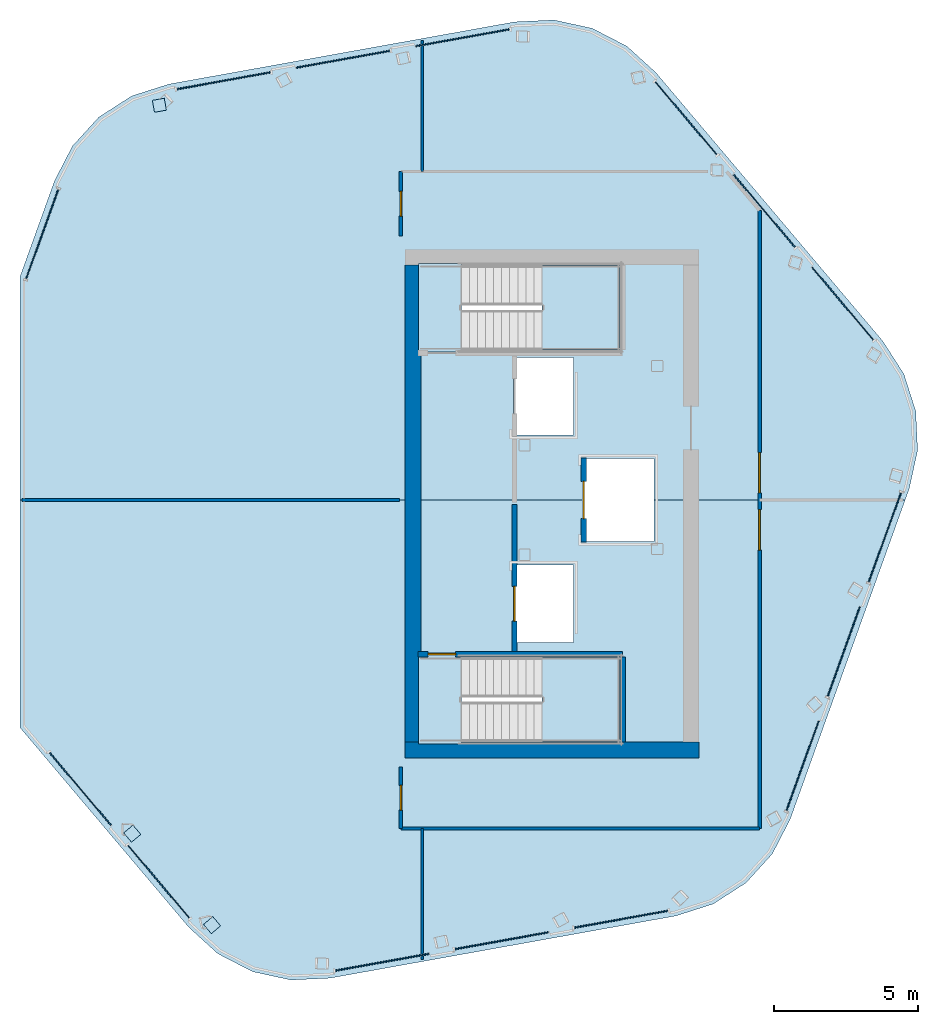
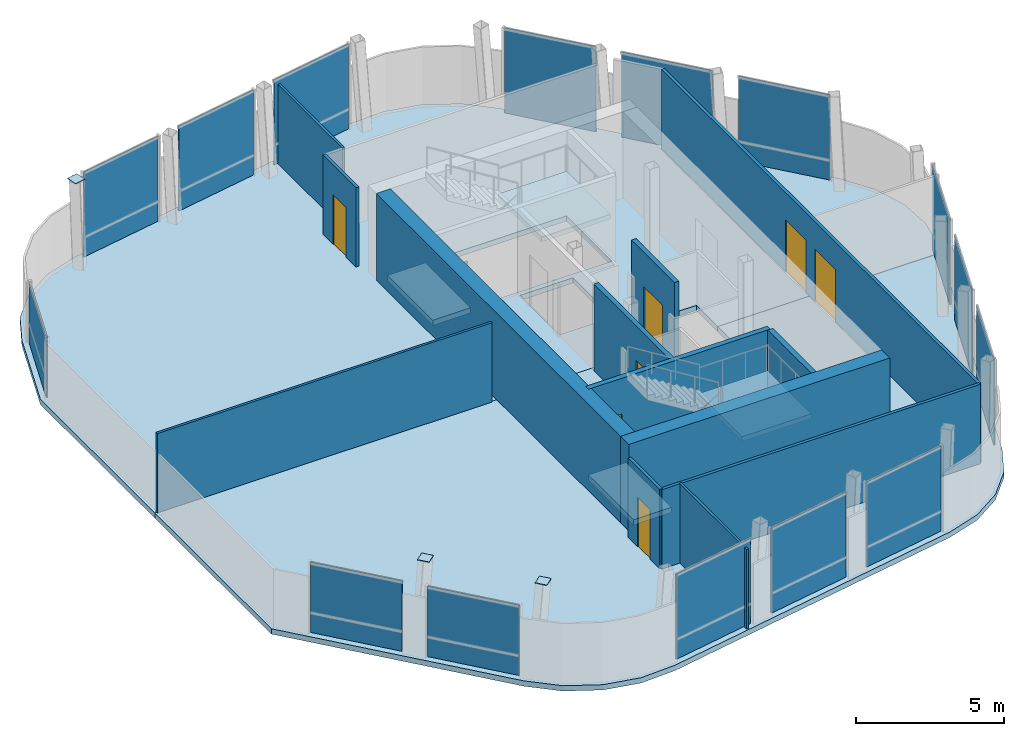
# One storey, part 4 of 8: 18 plates, 13 walls, 7 doors, 6 slabs, 7 openings, 8 elements without a shape of their own.
"""IFC4 building model written with IfcOpenShell, lengths in metres."""

from ifc_helpers import new_model, si_unit, direction, frame, frame_2d, origin, origin_2d, place, context, subcontext, project, spatial, polyline, rectangle, outline, extrude, material, layer, layer_set, type_object, element, fill, aggregate, save


model = new_model("IFC4")

# Units and contexts
model_context = context("Model", 3, precision=1e-05, world=origin(), true_north=direction((0.0, 1.0)))
body_context = subcontext(model_context, "Body", "Model", "MODEL_VIEW")
ifc_project = project(units=[si_unit("LENGTHUNIT", "METRE"), si_unit("AREAUNIT", "SQUARE_METRE"), si_unit("VOLUMEUNIT", "CUBIC_METRE"), si_unit("PLANEANGLEUNIT", "RADIAN"), si_unit("MASSUNIT", "GRAM", prefix="KILO")], contexts=[model_context])

# Site, building, storey
site_placement = place(None, origin())
site = spatial("IfcSite", under=ifc_project, at=site_placement, CompositionType="ELEMENT")
building_placement = place(site_placement, origin())
building = spatial("IfcBuilding", under=site, at=building_placement, Name="Valkerne Bourse Tower", CompositionType="ELEMENT")
storey_placement = place(building_placement, frame((0.0, 0.0, 326.800048828125)))
storey = spatial("IfcBuildingStorey", under=building, at=storey_placement, Name="L83", CompositionType="ELEMENT", Elevation=326.800048828125)

# Curtain wall, plates
ifc_material_1 = material(Name="Aluminium AA 6063-T6", Category="aluminium")
ifc_layer_1 = layer(ifc_material_1, 0.25)
ifc_layer_set_1 = layer_set([ifc_layer_1], Name="Aluminium AA 6063-T6")
curtain_wall_type = type_object("IfcCurtainWallType", Name="CW-06", PredefinedType="NOTDEFINED", material=ifc_layer_set_1)
curtain_wall_1_placement = place(storey_placement, origin())
curtain_wall_1 = element("IfcCurtainWall", 1, at=curtain_wall_1_placement, inside=storey, type_object=curtain_wall_type, Name="L83 Hexagonal Stick Curtain Wall Face 1", PredefinedType="NOTDEFINED")
ifc_material_2 = material(Name="Bronze Anodised Aluminium AA 6063-T6", Category="aluminium")
ifc_layer_2 = layer(ifc_material_2, 0.0400390625)
ifc_layer_set_2 = layer_set([ifc_layer_2], Name="Bronze Anodised Aluminium AA 6063-T6")
plate_type_1 = type_object("IfcPlateType", Name="CW-PNL-LOUVRE-40", PredefinedType="CURTAIN_PANEL", material=ifc_layer_set_2)
plate_1_placement = place(storey_placement, frame((48.193603515625, 43.0390625, 0.030029296875), z_axis=(0.0, 0.0, 1.0), x_axis=(-0.98419532574, -0.177086308879, 0.0)))
plate_1 = element("IfcPlate", 2, at=plate_1_placement, type_object=plate_type_1, Name="CW-L83-F1 Curtain Panel 00", PredefinedType="CURTAIN_PANEL", context=body_context, shape_type="SweptSolid", body=[
    extrude(rectangle(XDim=3.2919921875, YDim=0.0400390625, at=origin_2d()), origin(), (0.0, 0.0, 1.0), 3.52001953125),
])
plate_2_placement = place(storey_placement, frame((44.04833984375, 42.293212890625, 0.030029296875), z_axis=(0.0, 0.0, 1.0), x_axis=(-0.984194581197, -0.177090446787, 0.0)))
plate_2 = element("IfcPlate", 3, at=plate_2_placement, type_object=plate_type_1, Name="CW-L83-F1 Curtain Panel 01", PredefinedType="CURTAIN_PANEL", context=body_context, shape_type="SweptSolid", body=[
    extrude(rectangle(XDim=3.2919921875, YDim=0.0400390625, at=origin_2d()), origin(), (0.0, 0.0, 1.0), 3.52001953125),
])
plate_3_placement = place(storey_placement, frame((39.90283203125, 41.547119140625, 0.030029296875), z_axis=(0.0, 0.0, 1.0), x_axis=(-0.984194581197, -0.177090446787, 0.0)))
plate_3 = element("IfcPlate", 4, at=plate_3_placement, type_object=plate_type_1, Name="CW-L83-F1 Curtain Panel 02", PredefinedType="CURTAIN_PANEL", context=body_context, shape_type="SweptSolid", body=[
    extrude(rectangle(XDim=3.2919921875, YDim=0.0400390625, at=origin_2d()), origin(), (0.0, 0.0, 1.0), 3.52001953125),
])
aggregate(curtain_wall_1, [plate_1, plate_2, plate_3])

# Curtain wall, plate
curtain_wall_2_placement = place(storey_placement, origin())
curtain_wall_2 = element("IfcCurtainWall", 5, at=curtain_wall_2_placement, inside=storey, type_object=curtain_wall_type, Name="L83 Hexagonal Stick Curtain Wall Face 2", PredefinedType="NOTDEFINED")
plate_4_placement = place(storey_placement, frame((33.606689453125, 36.2265625, 0.02978515625), z_axis=(0.0, 0.0, 1.0), x_axis=(-0.338723671841, -0.940885898573, 0.0)))
plate_4 = element("IfcPlate", 6, at=plate_4_placement, type_object=plate_type_1, Name="CW-L83-F2 Curtain Panel 00", PredefinedType="CURTAIN_PANEL", context=body_context, shape_type="SweptSolid", body=[
    extrude(rectangle(XDim=3.2919921875, YDim=0.0400390625, at=origin_2d()), origin(), (0.0, 0.0, 1.0), 2.525146484375),
])
aggregate(curtain_wall_2, [plate_4])

# Curtain wall, plates
curtain_wall_3_placement = place(storey_placement, origin())
curtain_wall_3 = element("IfcCurtainWall", 7, at=curtain_wall_3_placement, inside=storey, type_object=curtain_wall_type, Name="L83 Hexagonal Stick Curtain Wall Face 3", PredefinedType="NOTDEFINED")
plate_5_placement = place(storey_placement, frame((34.931640625, 16.970458984375, 0.030029296875), z_axis=(0.0, 0.0, 1.0), x_axis=(0.645463188737, -0.763791379884, 0.0)))
plate_5 = element("IfcPlate", 8, at=plate_5_placement, type_object=plate_type_1, Name="CW-L83-F3 Curtain Panel 00", PredefinedType="CURTAIN_PANEL", context=body_context, shape_type="SweptSolid", body=[
    extrude(rectangle(XDim=3.2919921875, YDim=0.0400390625, at=origin_2d()), origin(), (0.0, 0.0, 1.0), 2.91162109375),
])
plate_6_placement = place(storey_placement, frame((37.650146484375, 13.75341796875, 0.030029296875), z_axis=(0.0, 0.0, 1.0), x_axis=(0.645463188737, -0.763791379884, 0.0)))
plate_6 = element("IfcPlate", 9, at=plate_6_placement, type_object=plate_type_1, Name="CW-L83-F3 Curtain Panel 01", PredefinedType="CURTAIN_PANEL", context=body_context, shape_type="SweptSolid", body=[
    extrude(rectangle(XDim=3.2919921875, YDim=0.0400390625, at=origin_2d()), origin(), (0.0, 0.0, 1.0), 2.91162109375),
])
aggregate(curtain_wall_3, [plate_5, plate_6])

curtain_wall_4_placement = place(storey_placement, origin())
curtain_wall_4 = element("IfcCurtainWall", 10, at=curtain_wall_4_placement, inside=storey, type_object=curtain_wall_type, Name="L83 Hexagonal Stick Curtain Wall Face 4", PredefinedType="NOTDEFINED")
plate_7_placement = place(storey_placement, frame((45.40625, 10.9609375, 0.030029296875), z_axis=(0.0, 0.0, 1.0), x_axis=(0.98419532574, 0.177086308879, 0.0)))
plate_7 = element("IfcPlate", 11, at=plate_7_placement, type_object=plate_type_1, Name="CW-L83-F4 Curtain Panel 00", PredefinedType="CURTAIN_PANEL", context=body_context, shape_type="SweptSolid", body=[
    extrude(rectangle(XDim=3.2919921875, YDim=0.0400390625, at=origin_2d()), origin(), (0.0, 0.0, 1.0), 3.52001953125),
])
plate_8_placement = place(storey_placement, frame((49.5517578125, 11.706787109375, 0.030029296875), z_axis=(0.0, 0.0, 1.0), x_axis=(0.984194581197, 0.177090446787, 0.0)))
plate_8 = element("IfcPlate", 12, at=plate_8_placement, type_object=plate_type_1, Name="CW-L83-F4 Curtain Panel 01", PredefinedType="CURTAIN_PANEL", context=body_context, shape_type="SweptSolid", body=[
    extrude(rectangle(XDim=3.2919921875, YDim=0.0400390625, at=origin_2d()), origin(), (0.0, 0.0, 1.0), 3.52001953125),
])
plate_9_placement = place(storey_placement, frame((53.697021484375, 12.45263671875, 0.030029296875), z_axis=(0.0, 0.0, 1.0), x_axis=(0.984194581197, 0.177090446787, 0.0)))
plate_9 = element("IfcPlate", 13, at=plate_9_placement, type_object=plate_type_1, Name="CW-L83-F4 Curtain Panel 02", PredefinedType="CURTAIN_PANEL", context=body_context, shape_type="SweptSolid", body=[
    extrude(rectangle(XDim=3.2919921875, YDim=0.0400390625, at=origin_2d()), origin(), (0.0, 0.0, 1.0), 3.52001953125),
])
aggregate(curtain_wall_4, [plate_7, plate_8, plate_9])

curtain_wall_5_placement = place(storey_placement, origin())
curtain_wall_5 = element("IfcCurtainWall", 14, at=curtain_wall_5_placement, inside=storey, type_object=curtain_wall_type, Name="L83 Hexagonal Stick Curtain Wall Face 5", PredefinedType="NOTDEFINED")
plate_10_placement = place(storey_placement, frame((59.993408203125, 17.7734375, 0.030029296875), z_axis=(0.0, 0.0, 1.0), x_axis=(0.338723671841, 0.940885898573, 0.0)))
plate_10 = element("IfcPlate", 15, at=plate_10_placement, type_object=plate_type_1, Name="CW-L83-F5 Curtain Panel 00", PredefinedType="CURTAIN_PANEL", context=body_context, shape_type="SweptSolid", body=[
    extrude(rectangle(XDim=3.2919921875, YDim=0.0400390625, at=origin_2d()), origin(), (0.0, 0.0, 1.0), 3.52001953125),
])
plate_11_placement = place(storey_placement, frame((61.420166015625, 21.736328125, 0.030029296875), z_axis=(0.0, 0.0, 1.0), x_axis=(0.338744689362, 0.940878331895, 0.0)))
plate_11 = element("IfcPlate", 16, at=plate_11_placement, type_object=plate_type_1, Name="CW-L83-F5 Curtain Panel 01", PredefinedType="CURTAIN_PANEL", context=body_context, shape_type="SweptSolid", body=[
    extrude(rectangle(XDim=3.2919921875, YDim=0.0400390625, at=origin_2d()), origin(), (0.0, 0.0, 1.0), 3.52001953125),
])
plate_12_placement = place(storey_placement, frame((62.846923828125, 25.699462890625, 0.030029296875), z_axis=(0.0, 0.0, 1.0), x_axis=(0.338744689362, 0.940878331895, 0.0)))
plate_12 = element("IfcPlate", 17, at=plate_12_placement, type_object=plate_type_1, Name="CW-L83-F5 Curtain Panel 02", PredefinedType="CURTAIN_PANEL", context=body_context, shape_type="SweptSolid", body=[
    extrude(rectangle(XDim=3.2919921875, YDim=0.0400390625, at=origin_2d()), origin(), (0.0, 0.0, 1.0), 3.52001953125),
])
aggregate(curtain_wall_5, [plate_10, plate_11, plate_12])

curtain_wall_6_placement = place(storey_placement, origin())
curtain_wall_6 = element("IfcCurtainWall", 18, at=curtain_wall_6_placement, inside=storey, type_object=curtain_wall_type, Name="L83 Hexagonal Stick Curtain Wall Face 6", PredefinedType="NOTDEFINED")
plate_13_placement = place(storey_placement, frame((61.38720703125, 33.8125, 0.030029296875), z_axis=(0.0, 0.0, 1.0), x_axis=(-0.6454493381, 0.763803084536, 0.0)))
plate_13 = element("IfcPlate", 19, at=plate_13_placement, type_object=plate_type_1, Name="CW-L83-F6 Curtain Panel 00", PredefinedType="CURTAIN_PANEL", context=body_context, shape_type="SweptSolid", body=[
    extrude(rectangle(XDim=3.2919921875, YDim=0.0400390625, at=origin_2d()), origin(), (0.0, 0.0, 1.0), 3.52001953125),
])
plate_14_placement = place(storey_placement, frame((58.66845703125, 37.029541015625, 0.030029296875), z_axis=(0.0, 0.0, 1.0), x_axis=(-0.645463188737, 0.763791379884, 0.0)))
plate_14 = element("IfcPlate", 20, at=plate_14_placement, type_object=plate_type_1, Name="CW-L83-F6 Curtain Panel 01", PredefinedType="CURTAIN_PANEL", context=body_context, shape_type="SweptSolid", body=[
    extrude(rectangle(XDim=3.2919921875, YDim=0.0400390625, at=origin_2d()), origin(), (0.0, 0.0, 1.0), 3.52001953125),
])
plate_15_placement = place(storey_placement, frame((55.94970703125, 40.24658203125, 0.030029296875), z_axis=(0.0, 0.0, 1.0), x_axis=(-0.645463188737, 0.763791379884, 0.0)))
plate_15 = element("IfcPlate", 21, at=plate_15_placement, type_object=plate_type_1, Name="CW-L83-F6 Curtain Panel 02", PredefinedType="CURTAIN_PANEL", context=body_context, shape_type="SweptSolid", body=[
    extrude(rectangle(XDim=3.2919921875, YDim=0.0400390625, at=origin_2d()), origin(), (0.0, 0.0, 1.0), 3.52001953125),
])
aggregate(curtain_wall_6, [plate_13, plate_14, plate_15])

# Plates
ifc_material_3 = material(Name="Steel ASTM A572 Grade 50", Category="steel")
ifc_layer_3 = layer(ifc_material_3, 0.02490234375)
ifc_layer_set_3 = layer_set([ifc_layer_3], Name="Steel ASTM A572 Grade 50")
plate_type_2 = type_object("IfcPlateType", Name="PLT-CAP-400", PredefinedType="SHEET", material=ifc_layer_set_3)
for number, where, z_axis, x_axis, name in (
    (22, (37.67333984375, 40.697509765625, 3.791015625), (0.0, 0.0, 1.0), (-0.984195607969, -0.17708474032, 0.0), "L83 HSS400 Column Head Cap Plate PLT-CAP400-L83-013"),
    (23, (36.731689453125, 15.421142578125, 3.791015625), (0.0, 0.0, 1.0), (0.645457687724, -0.763796028635, 0.0), "L83 HSS400 Column Head Cap Plate PLT-CAP400-L83-014"),
    (24, (39.5009765625, 12.247314453125, 3.791015625), (0.0, 0.0, 1.0), (0.645457687724, -0.763796028635, 0.0), "L83 HSS400 Column Head Cap Plate PLT-CAP400-L83-015"),
):
    element("IfcPlate", number, at=place(storey_placement, frame(where, z_axis=z_axis, x_axis=x_axis)), inside=storey, type_object=plate_type_2, Name=name, PredefinedType="SHEET", context=body_context, shape_type="SweptSolid", body=[
        extrude(rectangle(XDim=0.419921875, YDim=0.419921875, at=origin_2d()), origin(), (0.0, 0.0, 1.0), 0.02490234375),
    ])

# Slabs
ifc_material_4 = material(Name="Concrete C40/50", Category="concrete")
ifc_layer_4 = layer(ifc_material_4, 0.219970703125)
ifc_layer_set_4 = layer_set([ifc_layer_4], Name="Concrete C40/50")
slab_type_1 = type_object("IfcSlabType", Name="SLB-CRN-220", PredefinedType="FLOOR", material=ifc_layer_set_4)
slab_1_placement = place(storey_placement, frame((0.0, 0.0, -0.219970703125)))
element("IfcSlab", 25, at=slab_1_placement, inside=storey, type_object=slab_type_1, Name="L83 Hexagonal Composite Floor Slab S", PredefinedType="FLOOR", context=body_context, shape_type="SweptSolid", body=[
    extrude(outline(polyline([(59.564208984375, 15.923583984375), (58.941650390625, 14.71728515625), (58.028076171875, 13.71337890625), (56.8857421875, 12.97998046875), (55.592529296875, 12.5673828125), (43.589599609375, 10.40771484375), (42.23388671875, 10.34375), (40.907470703125, 10.6328125), (39.701171875, 11.255615234375), (38.697265625, 12.169189453125), (32.8369140625, 19.103515625), (32.8369140625, 27.0), (52.360107421875, 27.0), (52.360107421875, 25.56005859375), (54.840087890625, 25.56005859375), (54.840087890625, 27.0), (63.552001953125, 27.0), (59.564208984375, 15.923583984375)]), holes=[polyline([(46.6650390625, 18.534912109375), (53.675048828125, 18.534912109375), (53.675048828125, 21.614990234375), (46.6650390625, 21.614990234375), (46.6650390625, 18.534912109375)]), polyline([(49.9599609375, 22.06005859375), (52.0400390625, 22.06005859375), (52.0400390625, 24.739990234375), (49.9599609375, 24.739990234375), (49.9599609375, 22.06005859375)])]), origin(), (0.0, 0.0, 1.0), 0.219970703125),
])
slab_2_placement = place(storey_placement, frame((0.0, 0.0, -0.219970703125)))
element("IfcSlab", 26, at=slab_2_placement, inside=storey, type_object=slab_type_1, Name="L83 Hexagonal Composite Floor Slab N", PredefinedType="FLOOR", context=body_context, shape_type="SweptSolid", body=[
    extrude(outline(polyline([(35.572021484375, 40.28662109375), (36.714111328125, 41.02001953125), (38.00732421875, 41.4326171875), (50.01025390625, 43.59228515625), (51.3662109375, 43.65625), (52.6923828125, 43.3671875), (53.898681640625, 42.744384765625), (54.90283203125, 41.830810546875), (62.774658203125, 32.51611328125), (63.5078125, 31.373779296875), (63.920654296875, 30.08056640625), (63.984619140625, 28.724609375), (63.6953125, 27.398193359375), (63.552001953125, 27.0), (54.840087890625, 27.0), (54.840087890625, 28.43994140625), (52.360107421875, 28.43994140625), (52.360107421875, 27.0), (32.8369140625, 27.0), (32.8369140625, 34.746826171875), (34.03564453125, 38.076416015625), (34.658203125, 39.28271484375), (35.572021484375, 40.28662109375)]), holes=[polyline([(49.9599609375, 31.93994140625), (49.9599609375, 29.260009765625), (52.0400390625, 29.260009765625), (52.0400390625, 31.93994140625), (49.9599609375, 31.93994140625)]), polyline([(46.6650390625, 35.215087890625), (46.6650390625, 32.135009765625), (53.675048828125, 32.135009765625), (53.675048828125, 35.215087890625), (46.6650390625, 35.215087890625)])]), origin(), (0.0, 0.0, 1.0), 0.219970703125),
])
ifc_layer_5 = layer(ifc_material_4, 0.25)
ifc_layer_set_5 = layer_set([ifc_layer_5], Name="Concrete C40/50")
slab_type_2 = type_object("IfcSlabType", Name="SLB-RMP-LND-250", PredefinedType="LANDING", material=ifc_layer_set_5)
slab_3_placement = place(storey_placement, frame((0.0, 0.0, -0.219970703125)))
element("IfcSlab", 27, at=slab_3_placement, inside=storey, type_object=slab_type_2, Name="L83 ST-1 Floor Landing Slab", PredefinedType="LANDING", context=body_context, shape_type="SweptSolid", body=[
    extrude(outline(polyline([(46.669921875, 18.5400390625), (48.14990234375, 18.5400390625), (48.14990234375, 21.610107421875), (46.669921875, 21.610107421875), (46.669921875, 18.5400390625)])), origin(), (0.0, 0.0, 1.0), 0.219970703125),
])
slab_4_placement = place(storey_placement, frame((0.0, 0.0, -0.219970703125)))
element("IfcSlab", 28, at=slab_4_placement, inside=storey, type_object=slab_type_2, Name="L83 ST-2 Floor Landing Slab", PredefinedType="LANDING", context=body_context, shape_type="SweptSolid", body=[
    extrude(outline(polyline([(46.669921875, 32.139892578125), (48.14990234375, 32.139892578125), (48.14990234375, 35.2099609375), (46.669921875, 35.2099609375), (46.669921875, 32.139892578125)])), origin(), (0.0, 0.0, 1.0), 0.219970703125),
])

# Stair, slab
stair_type = type_object("IfcStairType", Name="ST-CORE-1400", PredefinedType="HALF_TURN_STAIR", material=ifc_material_4)
stair_1_placement = place(storey_placement, origin())
stair_1 = element("IfcStair", 29, at=stair_1_placement, inside=storey, type_object=stair_type, Name="L83 ST-1", PredefinedType="HALF_TURN_STAIR")
ifc_layer_6 = layer(ifc_material_4, 0.179931640625)
ifc_layer_set_6 = layer_set([ifc_layer_6], Name="Concrete C40/50")
slab_type_3 = type_object("IfcSlabType", Name="SLB-ST-LND-180", PredefinedType="LANDING", material=ifc_layer_set_6)
slab_5_placement = place(storey_placement, frame((0.0, 0.0, 1.699951171875)))
slab_5 = element("IfcSlab", 30, at=slab_5_placement, type_object=slab_type_3, Name="ST-1 landing 1", PredefinedType="LANDING", context=body_context, shape_type="SweptSolid", body=[
    extrude(outline(polyline([(50.949951171875, 18.60009765625), (53.64990234375, 18.60009765625), (53.64990234375, 21.550048828125), (50.949951171875, 21.550048828125), (50.949951171875, 18.60009765625)])), origin(), (0.0, 0.0, 1.0), 0.199951171875),
])
aggregate(stair_1, [slab_5])

stair_2_placement = place(storey_placement, origin())
stair_2 = element("IfcStair", 31, at=stair_2_placement, inside=storey, type_object=stair_type, Name="L83 ST-2", PredefinedType="HALF_TURN_STAIR")
slab_6_placement = place(storey_placement, frame((0.0, 0.0, 1.699951171875)))
slab_6 = element("IfcSlab", 32, at=slab_6_placement, type_object=slab_type_3, Name="ST-2 landing 1", PredefinedType="LANDING", context=body_context, shape_type="SweptSolid", body=[
    extrude(outline(polyline([(50.949951171875, 32.199951171875), (53.64990234375, 32.199951171875), (53.64990234375, 35.14990234375), (50.949951171875, 35.14990234375), (50.949951171875, 32.199951171875)])), origin(), (0.0, 0.0, 1.0), 0.199951171875),
])
aggregate(stair_2, [slab_6])

# Walls
ifc_material_5 = material(Name="Concrete C55/67", Category="concrete")
ifc_layer_7 = layer(ifc_material_5, 0.550048828125)
ifc_layer_set_7 = layer_set([ifc_layer_7], Name="Concrete C55/67")
wall_type_1 = type_object("IfcWallType", Name="W-CORE-550", PredefinedType="SHEAR", material=ifc_layer_set_7)
wall_1_placement = place(storey_placement, frame((46.199951171875, 18.324951171875, 0.0), z_axis=(0.0, 0.0, 1.0), x_axis=(1.0, 0.0, 0.0)))
element("IfcWall", 33, at=wall_1_placement, inside=storey, type_object=wall_type_1, Name="L83 Core Shear Wall SOUTH", PredefinedType="SHEAR", context=body_context, shape_type="SweptSolid", body=[
    extrude(rectangle(XDim=10.199951171875, YDim=0.550048828125, at=frame_2d((5.10009765625, 0.0))), origin(), (0.0, 0.0, 1.0), 3.579833984375),
])
wall_2_placement = place(storey_placement, frame((46.47509765625, 18.60009765625, 0.0), z_axis=(0.0, 0.0, 1.0), x_axis=(0.0, 1.0, 0.0)))
element("IfcWall", 34, at=wall_2_placement, inside=storey, type_object=wall_type_1, Name="L83 Core Shear Wall WEST", PredefinedType="SHEAR", context=body_context, shape_type="SweptSolid", body=[
    extrude(rectangle(XDim=16.5498046875, YDim=0.550048828125, at=frame_2d((8.27490234375, 0.0))), origin(), (0.0, 0.0, 1.0), 3.579833984375),
])

# Wall, opening, door
ifc_material_6 = material(Name="Gypsum Board Steel-Stud Partition", Category="steel")
ifc_layer_8 = layer(ifc_material_6, 0.117919921875)
ifc_layer_set_8 = layer_set([ifc_layer_8], Name="Gypsum Board Steel-Stud Partition")
wall_type_2 = type_object("IfcWallType", Name="W-CORR-140", PredefinedType="PARTITIONING", material=ifc_layer_set_8)
wall_3_placement = place(storey_placement, frame((46.050048828125, 15.60009765625, 0.0), z_axis=(0.0, 0.0, 1.0), x_axis=(0.0, 1.0, 0.0)))
wall_3 = element("IfcWall", 35, at=wall_3_placement, inside=storey, type_object=wall_type_2, Name="L83 Corridor Enclosure Wall", PredefinedType="PARTITIONING", context=body_context, shape_type="SweptSolid", body=[
    extrude(rectangle(XDim=2.139892578125, YDim=0.117919921875, at=frame_2d((1.06982421875, 0.0))), origin(), (0.0, 0.0, 1.0), 3.280029296875),
])
opening_1_placement = place(wall_3_placement, frame((0.639892578125, 0.0, 0.0)))
opening_1 = element("IfcOpeningElement", 36, at=opening_1_placement, cuts=wall_3, Name="Opening D-WC-900", PredefinedType="OPENING", context=body_context, shape_type="SweptSolid", body=[
    extrude(rectangle(XDim=0.860107421875, YDim=2.050048828125, at=frame_2d((0.43017578125, 1.02490234375))), frame((0.0, 0.06884765625, 0.0), z_axis=(0.0, -1.0, 0.0), x_axis=(1.0, 0.0, 0.0)), (0.0, 0.0, 1.0), 0.137939453125),
])
ifc_material_7 = material(Name="Architectural White Oak Timber", Category="wood")
door_type_1 = type_object("IfcDoorType", Name="DR-WC-900", OperationType="NOTDEFINED", PredefinedType="DOOR", material=ifc_material_7)
door_1_placement = place(opening_1_placement, origin())
door_1 = element("IfcDoor", 37, at=door_1_placement, inside=storey, type_object=door_type_1, Name="L83 L83 Crown Chiller & Heat-Rejection Cooling Plant 1 Door", OperationType="SINGLE_SWING_LEFT", OverallHeight=2.050048828125, OverallWidth=0.860107421875, PredefinedType="DOOR", context=body_context, shape_type="SweptSolid", body=[
    extrude(rectangle(XDim=0.860107421875, YDim=2.050048828125, at=frame_2d((0.43017578125, 1.02490234375))), frame((0.0, 0.02490234375, 0.0), z_axis=(0.0, -1.0, 0.0), x_axis=(1.0, 0.0, 0.0)), (0.0, 0.0, 1.0), 0.050048828125),
])
fill(opening_1, door_1)

wall_4_placement = place(storey_placement, frame((46.050048828125, 36.159912109375, 0.0), z_axis=(0.0, 0.0, 1.0), x_axis=(0.0, 1.0, 0.0)))
wall_4 = element("IfcWall", 38, at=wall_4_placement, inside=storey, type_object=wall_type_2, Name="L83 Corridor Enclosure Wall", PredefinedType="PARTITIONING", context=body_context, shape_type="SweptSolid", body=[
    extrude(rectangle(XDim=2.239990234375, YDim=0.117919921875, at=frame_2d((1.1201171875, 0.0))), origin(), (0.0, 0.0, 1.0), 3.280029296875),
])
opening_2_placement = place(wall_4_placement, frame((0.68994140625, 0.0, 0.0)))
opening_2 = element("IfcOpeningElement", 39, at=opening_2_placement, cuts=wall_4, Name="Opening D-WC-900", PredefinedType="OPENING", context=body_context, shape_type="SweptSolid", body=[
    extrude(rectangle(XDim=0.860107421875, YDim=2.050048828125, at=frame_2d((0.43017578125, 1.02490234375))), frame((0.0, 0.06884765625, 0.0), z_axis=(0.0, -1.0, 0.0), x_axis=(1.0, 0.0, 0.0)), (0.0, 0.0, 1.0), 0.137939453125),
])
door_2_placement = place(opening_2_placement, origin())
door_2 = element("IfcDoor", 40, at=door_2_placement, inside=storey, type_object=door_type_1, Name="L83 L83 Crown Chiller & Heat-Rejection Cooling Plant 4 Door", OperationType="SINGLE_SWING_LEFT", OverallHeight=2.050048828125, OverallWidth=0.860107421875, PredefinedType="DOOR", context=body_context, shape_type="SweptSolid", body=[
    extrude(rectangle(XDim=0.860107421875, YDim=2.050048828125, at=frame_2d((0.43017578125, 1.02490234375))), frame((0.0, 0.02490234375, 0.0), z_axis=(0.0, -1.0, 0.0), x_axis=(1.0, 0.0, 0.0)), (0.0, 0.0, 1.0), 0.050048828125),
])
fill(opening_2, door_2)

# Wall, openings, doors
wall_5_placement = place(storey_placement, frame((58.5, 37.047607421875, 0.0), z_axis=(0.0, 0.0, 1.0), x_axis=(0.0, -1.0, 0.0)))
wall_5 = element("IfcWall", 41, at=wall_5_placement, inside=storey, type_object=wall_type_2, Name="L83 Corridor Enclosure Wall", PredefinedType="PARTITIONING", context=body_context, shape_type="SweptSolid", body=[
    extrude(rectangle(XDim=21.447509765625, YDim=0.117919921875, at=frame_2d((10.7236328125, 0.0))), origin(), (0.0, 0.0, 1.0), 3.280029296875),
])
opening_3_placement = place(wall_5_placement, frame((10.3837890625, 0.0, 0.0)))
opening_3 = element("IfcOpeningElement", 42, at=opening_3_placement, cuts=wall_5, Name="Opening D-PL-1400", PredefinedType="OPENING", context=body_context, shape_type="SweptSolid", body=[
    extrude(rectangle(XDim=1.39990234375, YDim=2.14990234375, at=frame_2d((0.699951171875, 1.074951171875))), frame((0.0, 0.06884765625, 0.0), z_axis=(0.0, -1.0, 0.0), x_axis=(1.0, 0.0, 0.0)), (0.0, 0.0, 1.0), 0.137939453125),
])
opening_4_placement = place(wall_5_placement, frame((8.40380859375, 0.0, 0.0)))
opening_4 = element("IfcOpeningElement", 43, at=opening_4_placement, cuts=wall_5, Name="Opening D-PL-1400", PredefinedType="OPENING", context=body_context, shape_type="SweptSolid", body=[
    extrude(rectangle(XDim=1.39990234375, YDim=2.14990234375, at=frame_2d((0.699951171875, 1.074951171875))), frame((0.0, 0.06884765625, 0.0), z_axis=(0.0, -1.0, 0.0), x_axis=(1.0, 0.0, 0.0)), (0.0, 0.0, 1.0), 0.137939453125),
])
ifc_material_8 = material(Name="Galvanised Painted Steel", Category="steel")
door_type_2 = type_object("IfcDoorType", Name="DR-PLT-1400", OperationType="DOUBLE_DOOR_SINGLE_SWING", PredefinedType="DOOR", material=ifc_material_8)
door_3_placement = place(opening_3_placement, origin())
door_3 = element("IfcDoor", 44, at=door_3_placement, inside=storey, type_object=door_type_2, Name="L83 L83 Crown Supply Air Handling AHU Plant 2 Door", OperationType="DOUBLE_DOOR_SINGLE_SWING", OverallHeight=2.14990234375, OverallWidth=1.39990234375, PredefinedType="DOOR", context=body_context, shape_type="SweptSolid", body=[
    extrude(rectangle(XDim=1.39990234375, YDim=2.14990234375, at=frame_2d((0.699951171875, 1.074951171875))), frame((0.0, 0.02490234375, 0.0), z_axis=(0.0, -1.0, 0.0), x_axis=(1.0, 0.0, 0.0)), (0.0, 0.0, 1.0), 0.050048828125),
])
fill(opening_3, door_3)
door_4_placement = place(opening_4_placement, origin())
door_4 = element("IfcDoor", 45, at=door_4_placement, inside=storey, type_object=door_type_2, Name="L83 L83 Crown Electrical Switchgear & UPS Plant 3 Door", OperationType="DOUBLE_DOOR_SINGLE_SWING", OverallHeight=2.14990234375, OverallWidth=1.39990234375, PredefinedType="DOOR", context=body_context, shape_type="SweptSolid", body=[
    extrude(rectangle(XDim=1.39990234375, YDim=2.14990234375, at=frame_2d((0.699951171875, 1.074951171875))), frame((0.0, 0.02490234375, 0.0), z_axis=(0.0, -1.0, 0.0), x_axis=(1.0, 0.0, 0.0)), (0.0, 0.0, 1.0), 0.050048828125),
])
fill(opening_4, door_4)

# Wall
wall_6_placement = place(storey_placement, frame((58.5, 15.60009765625, 0.0), z_axis=(0.0, 0.0, 1.0), x_axis=(-1.0, 0.0, 0.0)))
element("IfcWall", 46, at=wall_6_placement, inside=storey, type_object=wall_type_2, Name="L83 Corridor Enclosure Wall", PredefinedType="PARTITIONING", context=body_context, shape_type="SweptSolid", body=[
    extrude(rectangle(XDim=12.449951171875, YDim=0.117919921875, at=frame_2d((6.22509765625, 0.0))), origin(), (0.0, 0.0, 1.0), 3.280029296875),
])

# Wall, opening, door
ifc_material_9 = material(Name="Gypsum Fire-Rated Shaftwall", Category="gypsum")
ifc_layer_9 = layer(ifc_material_9, 0.179931640625)
ifc_layer_set_9 = layer_set([ifc_layer_9], Name="Gypsum Fire-Rated Shaftwall")
wall_type_3 = type_object("IfcWallType", Name="W-FSAE-180", PredefinedType="PARTITIONING", material=ifc_layer_set_9)
wall_7_placement = place(storey_placement, frame((50.0, 21.75, 0.0), z_axis=(0.0, 0.0, 1.0), x_axis=(0.0, 1.0, 0.0)))
wall_7 = element("IfcWall", 47, at=wall_7_placement, inside=storey, type_object=wall_type_3, Name="L83 FSAE-1 Lobby & Shaft Front Wall", PredefinedType="PARTITIONING", context=body_context, shape_type="SweptSolid", body=[
    extrude(rectangle(XDim=5.090087890625, YDim=0.179931640625, at=frame_2d((2.544921875, 0.0))), origin(), (0.0, 0.0, 1.0), 3.579833984375),
])
opening_5_placement = place(wall_7_placement, frame((1.050048828125, 0.0, 0.0)))
opening_5 = element("IfcOpeningElement", 48, at=opening_5_placement, cuts=wall_7, Name="Opening LD-1200", PredefinedType="OPENING", context=body_context, shape_type="SweptSolid", body=[
    extrude(rectangle(XDim=1.199951171875, YDim=2.14990234375, at=frame_2d((0.60009765625, 1.074951171875))), frame((0.0, 0.099853515625, 0.0), z_axis=(0.0, -1.0, 0.0), x_axis=(1.0, 0.0, 0.0)), (0.0, 0.0, 1.0), 0.199951171875),
])
ifc_material_10 = material(Name="Stainless Steel AISI 316", Category="steel")
door_type_3 = type_object("IfcDoorType", Name="DR-LIFT-1200", OperationType="DOUBLE_DOOR_SLIDING", PredefinedType="DOOR", material=ifc_material_10)
door_5_placement = place(opening_5_placement, origin())
door_5 = element("IfcDoor", 49, at=door_5_placement, inside=storey, type_object=door_type_3, Name="L83 FSAE-1 Firefighting Lift Landing Door", OperationType="DOUBLE_DOOR_SLIDING", OverallHeight=2.14990234375, OverallWidth=1.199951171875, PredefinedType="DOOR", context=body_context, shape_type="SweptSolid", body=[
    extrude(rectangle(XDim=1.199951171875, YDim=2.14990234375, at=frame_2d((0.60009765625, 1.074951171875))), frame((0.0, 0.02490234375, 0.0), z_axis=(0.0, -1.0, 0.0), x_axis=(1.0, 0.0, 0.0)), (0.0, 0.0, 1.0), 0.050048828125),
])
fill(opening_5, door_5)

ifc_material_11 = material(Name="CMU Blockwork Masonry 200mm", Category="masonry")
ifc_layer_10 = layer(ifc_material_11, 0.179931640625)
ifc_layer_set_10 = layer_set([ifc_layer_10], Name="CMU Blockwork Masonry 200mm")
wall_type_4 = type_object("IfcWallType", Name="W-LFT-180", PredefinedType="SOLIDWALL", material=ifc_layer_set_10)
wall_8_placement = place(storey_placement, frame((52.39990234375, 25.550048828125, 0.0), z_axis=(0.0, 0.0, 1.0), x_axis=(0.0, 1.0, 0.0)))
wall_8 = element("IfcWall", 50, at=wall_8_placement, inside=storey, type_object=wall_type_4, Name="L83 Service Lift SV-1 Front Wall", PredefinedType="SOLIDWALL", context=body_context, shape_type="SweptSolid", body=[
    extrude(rectangle(XDim=2.89990234375, YDim=0.179931640625, at=frame_2d((1.449951171875, 0.0))), origin(), (0.0, 0.0, 1.0), 3.579833984375),
])
opening_6_placement = place(wall_8_placement, frame((0.800048828125, 0.0, 0.0)))
opening_6 = element("IfcOpeningElement", 51, at=opening_6_placement, cuts=wall_8, Name="Opening LD-1300", PredefinedType="OPENING", context=body_context, shape_type="SweptSolid", body=[
    extrude(rectangle(XDim=1.300048828125, YDim=2.14990234375, at=frame_2d((0.64990234375, 1.074951171875))), frame((0.0, 0.099853515625, 0.0), z_axis=(0.0, -1.0, 0.0), x_axis=(1.0, 0.0, 0.0)), (0.0, 0.0, 1.0), 0.199951171875),
])
door_type_4 = type_object("IfcDoorType", Name="DR-LIFT-1300", OperationType="DOUBLE_DOOR_SLIDING", PredefinedType="DOOR", material=ifc_material_10)
door_6_placement = place(opening_6_placement, origin())
door_6 = element("IfcDoor", 52, at=door_6_placement, inside=storey, type_object=door_type_4, Name="L83 Service Lift SV-1 Landing Door", OperationType="DOUBLE_DOOR_SLIDING", OverallHeight=2.14990234375, OverallWidth=1.300048828125, PredefinedType="DOOR", context=body_context, shape_type="SweptSolid", body=[
    extrude(rectangle(XDim=1.300048828125, YDim=2.14990234375, at=frame_2d((0.64990234375, 1.074951171875))), frame((0.0, 0.02490234375, 0.0), z_axis=(0.0, -1.0, 0.0), x_axis=(1.0, 0.0, 0.0)), (0.0, 0.0, 1.0), 0.050048828125),
])
fill(opening_6, door_6)

# Walls
ifc_layer_11 = layer(ifc_material_6, 0.092041015625)
ifc_layer_set_11 = layer_set([ifc_layer_11], Name="Gypsum Board Steel-Stud Partition")
wall_type_5 = type_object("IfcWallType", Name="W-PART-115", PredefinedType="PARTITIONING", material=ifc_layer_set_11)
for number, where, z_axis, x_axis, name in (
    (53, (46.800048828125, 15.594970703125, 0.0), (0.0, 0.0, 1.0), (0.0, -1.0, 0.0), "L83 Suite Partition P01"),
    (54, (46.800048828125, 38.405029296875, 0.0), (0.0, 0.0, 1.0), (0.0, 1.0, 0.0), "L83 Suite Partition P02"),
):
    element("IfcWall", number, at=place(storey_placement, frame(where, z_axis=z_axis, x_axis=x_axis)), inside=storey, type_object=wall_type_5, Name=name, PredefinedType="PARTITIONING", context=body_context, shape_type="SweptSolid", body=[
        extrude(rectangle(XDim=4.53857421875, YDim=0.092041015625, at=frame_2d((2.269287109375, 0.0))), origin(), (0.0, 0.0, 1.0), 3.280029296875),
    ])
wall_9_placement = place(storey_placement, frame((46.0, 27.0, 0.0), z_axis=(0.0, 0.0, 1.0), x_axis=(-1.0, 0.0, 0.0)))
element("IfcWall", 55, at=wall_9_placement, inside=storey, type_object=wall_type_5, Name="L83 Suite Partition P04", PredefinedType="PARTITIONING", context=body_context, shape_type="SweptSolid", body=[
    extrude(rectangle(XDim=13.093017578125, YDim=0.092041015625, at=frame_2d((6.54638671875, 0.0))), origin(), (0.0, 0.0, 1.0), 3.280029296875),
])

# Wall, opening, door
ifc_layer_12 = layer(ifc_material_4, 0.199951171875)
ifc_layer_set_12 = layer_set([ifc_layer_12], Name="Concrete C40/50")
wall_type_6 = type_object("IfcWallType", Name="W-SHF-200", PredefinedType="SHEAR", material=ifc_layer_set_12)
wall_10_placement = place(storey_placement, frame((46.64990234375, 21.64990234375, 0.0), z_axis=(0.0, 0.0, 1.0), x_axis=(1.0, 0.0, 0.0)))
wall_10 = element("IfcWall", 56, at=wall_10_placement, inside=storey, type_object=wall_type_6, Name="L83 Exit Stair ST-1 Structural Shaft Wall North", PredefinedType="SHEAR", context=body_context, shape_type="SweptSolid", body=[
    extrude(rectangle(XDim=7.10009765625, YDim=0.199951171875, at=frame_2d((3.550048828125, 0.0))), origin(), (0.0, 0.0, 1.0), 3.579833984375),
])
opening_7_placement = place(wall_10_placement, frame((0.35009765625, 0.0, 0.0)))
opening_7 = element("IfcOpeningElement", 57, at=opening_7_placement, cuts=wall_10, Name="Opening D-ST-950", PredefinedType="OPENING", context=body_context, shape_type="SweptSolid", body=[
    extrude(rectangle(XDim=0.949951171875, YDim=2.10009765625, at=frame_2d((0.47509765625, 1.050048828125))), frame((0.0, 0.10986328125, 0.0), z_axis=(0.0, -1.0, 0.0), x_axis=(1.0, 0.0, 0.0)), (0.0, 0.0, 1.0), 0.219970703125),
])
door_type_5 = type_object("IfcDoorType", Name="DR-STAIR-950", OperationType="NOTDEFINED", PredefinedType="DOOR", material=ifc_material_8)
door_7_placement = place(opening_7_placement, origin())
door_7 = element("IfcDoor", 58, at=door_7_placement, inside=storey, type_object=door_type_5, Name="L83 Exit Stair ST-1 Door", OperationType="SINGLE_SWING_LEFT", OverallHeight=2.10009765625, OverallWidth=0.949951171875, PredefinedType="DOOR", context=body_context, shape_type="SweptSolid", body=[
    extrude(rectangle(XDim=0.949951171875, YDim=2.10009765625, at=frame_2d((0.47509765625, 1.050048828125))), frame((0.0, 0.02490234375, 0.0), z_axis=(0.0, -1.0, 0.0), x_axis=(1.0, 0.0, 0.0)), (0.0, 0.0, 1.0), 0.050048828125),
])
fill(opening_7, door_7)

# Wall
wall_11_placement = place(storey_placement, frame((53.75, 18.60009765625, 0.0), z_axis=(0.0, 0.0, 1.0), x_axis=(0.0, 1.0, 0.0)))
element("IfcWall", 59, at=wall_11_placement, inside=storey, type_object=wall_type_6, Name="L83 Exit Stair ST-1 Structural Shaft Wall East", PredefinedType="SHEAR", context=body_context, shape_type="SweptSolid", body=[
    extrude(rectangle(XDim=2.949951171875, YDim=0.199951171875, at=frame_2d((1.47509765625, 0.0))), origin(), (0.0, 0.0, 1.0), 3.579833984375),
])

save(model, "model.ifc")
